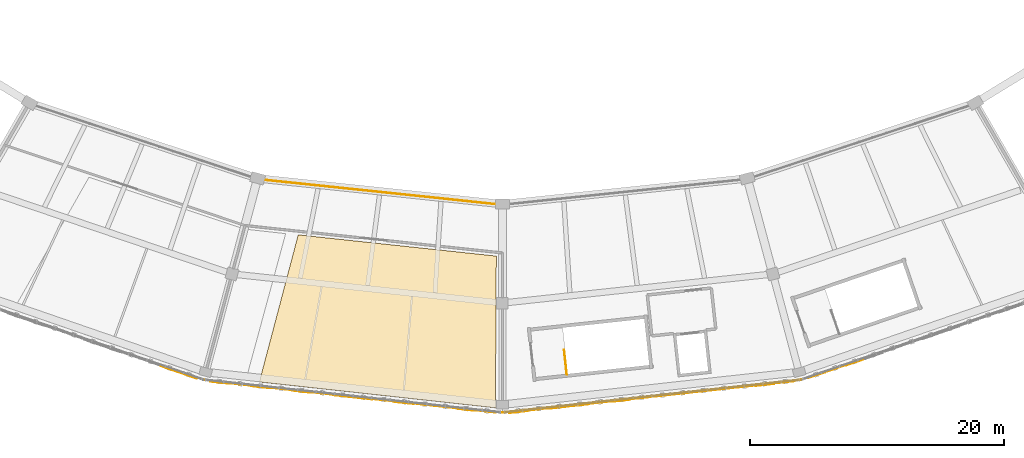
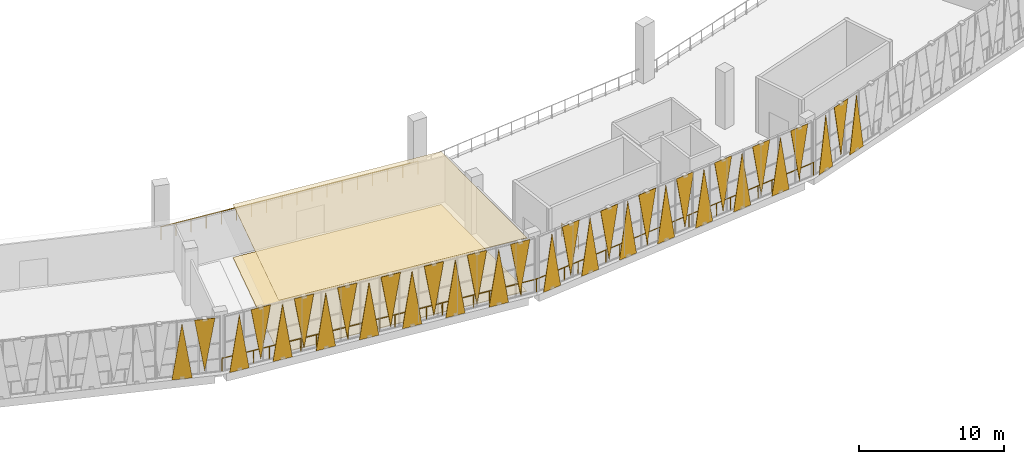
# One storey, part 56 of 64: 35 coverings, 4 railings.
"""IFC4 building model written with IfcOpenShell, lengths in metres."""

from ifc_helpers import new_model, si_unit, direction, frame, origin, origin_2d, place, context, subcontext, project, spatial, polyline, circle, outline, extrude, material, layer, layer_set, type_object, element, save


model = new_model("IFC4")

# Units and contexts
model_context = context("Model", 3, precision=1e-05, world=origin(), true_north=direction((0.0, 1.0)))
body_context = subcontext(model_context, "Body", "Model", "MODEL_VIEW")
ifc_project = project(units=[si_unit("LENGTHUNIT", "METRE"), si_unit("AREAUNIT", "SQUARE_METRE"), si_unit("VOLUMEUNIT", "CUBIC_METRE"), si_unit("PLANEANGLEUNIT", "RADIAN"), si_unit("MASSUNIT", "GRAM", prefix="KILO")], contexts=[model_context])

# Site, building, storey
site_placement = place(None, origin())
site = spatial("IfcSite", under=ifc_project, at=site_placement, CompositionType="ELEMENT")
building_placement = place(site_placement, origin())
building = spatial("IfcBuilding", under=site, at=building_placement, Name="Zevraka Park Crest Stadium", CompositionType="ELEMENT")
storey_placement = place(building_placement, frame((0.0, 0.0, 24.60009765625)))
storey = spatial("IfcBuildingStorey", under=building, at=storey_placement, Name="L05", CompositionType="ELEMENT", Elevation=24.60009765625)

# Coverings
ifc_material_1 = material(Name="Architectural golden-bronze perforated aluminium", Category="aluminium")
ifc_layer_1 = layer(ifc_material_1, 0.034912109375)
ifc_layer_set_1 = layer_set([ifc_layer_1], Name="Architectural golden-bronze perforated aluminium")
covering_type_1 = type_object("IfcCoveringType", Name="CLD01", PredefinedType="CLADDING", material=ifc_layer_set_1)
covering_1_placement = place(storey_placement, frame((85.083984375, 19.7529296875, -0.22021484375), z_axis=(0.326478757083, 0.945204539285, 9.448619e-06), x_axis=(0.945204539327, -0.326478757097, 0.0)))
element("IfcCovering", 1, at=covering_1_placement, inside=storey, type_object=covering_type_1, Name="Triangular Golden-Bronze Perforated Cladding L05-16-13", PredefinedType="CLADDING", context=body_context, shape_type="SweptSolid", body=[
    extrude(outline(polyline([(0.0, 0.0), (1.4335314869677471, 0.0), (0.716264364466002, -4.660156250208021), (0.0, 0.0)])), origin(), (0.0, 0.0, -1.0), 0.034912109375),
])
covering_2_placement = place(storey_placement, frame((87.946044921875, 18.762939453125, 4.599853515625), z_axis=(0.326876778138, 0.945066957718, 0.000131698294), x_axis=(-0.945066965914, 0.326876780972, 0.0)))
element("IfcCovering", 2, at=covering_2_placement, inside=storey, type_object=covering_type_1, Name="Triangular Golden-Bronze Perforated Cladding L05-16-14", PredefinedType="CLADDING", context=body_context, shape_type="SweptSolid", body=[
    extrude(outline(polyline([(0.0, 0.0), (1.4347734924150557, 6.776263578034403e-21), (0.7175862559615392, -4.379882850483309), (0.0, 0.0)])), origin(), (0.0, 0.0, -1.0), 0.034912109375),
])
covering_3_placement = place(storey_placement, frame((88.97412109375, 18.531982421875, -0.22021484375), z_axis=(0.108952601983, 0.994046945726, 1.4622709e-05), x_axis=(0.994046945832, -0.108952601995, 0.0)))
element("IfcCovering", 3, at=covering_3_placement, inside=storey, type_object=covering_type_1, Name="Triangular Golden-Bronze Perforated Cladding L05-17-1", PredefinedType="CLADDING", context=body_context, shape_type="SweptSolid", body=[
    extrude(outline(polyline([(0.0, 0.0), (1.4677218023927092, 4.235164736271502e-22), (0.7343595755597975, -4.660156250498226), (0.0, 0.0)])), origin(), (0.0, 0.0, -1.0), 0.034912109375),
])
covering_4_placement = place(storey_placement, frame((92.052001953125, 18.194091796875, 4.599853515625), z_axis=(-0.108880588211, -0.994054835883, 2.7704984e-05), x_axis=(-0.994054836265, 0.108880588253, 0.0)))
element("IfcCovering", 4, at=covering_4_placement, inside=storey, type_object=covering_type_1, Name="Triangular Golden-Bronze Perforated Cladding L05-17-2", PredefinedType="CLADDING", context=body_context, shape_type="SweptSolid", body=[
    extrude(outline(polyline([(0.0, 0.0), (1.4686925552172725, 0.0), (0.7343329865212029, 4.379882814180925), (0.0, 0.0)])), origin(), (0.0, 0.0, -1.0), 0.034912109375),
])
covering_5_placement = place(storey_placement, frame((92.2109375, 18.176025390625, -0.22021484375), z_axis=(0.108952601918, 0.994046945135, 3.7454352e-05), x_axis=(0.994046945832, -0.108952601995, 0.0)))
element("IfcCovering", 5, at=covering_5_placement, inside=storey, type_object=covering_type_1, Name="Triangular Golden-Bronze Perforated Cladding L05-17-3", PredefinedType="CLADDING", context=body_context, shape_type="SweptSolid", body=[
    extrude(outline(polyline([(0.0, 0.0), (1.4677218023927092, 0.0), (0.7333888265892581, -4.660156253268701), (0.0, 0.0)])), origin(), (0.0, 0.0, -1.0), 0.034912109375),
])
covering_6_placement = place(storey_placement, frame((95.2890625, 17.837890625, 4.599853515625), z_axis=(-0.109044843045, -0.994036831413, 0.0), x_axis=(-0.994036831413, 0.109044843045, 0.0)))
element("IfcCovering", 6, at=covering_6_placement, inside=storey, type_object=covering_type_1, Name="Triangular Golden-Bronze Perforated Cladding L05-17-4", PredefinedType="CLADDING", context=body_context, shape_type="SweptSolid", body=[
    extrude(outline(polyline([(0.0, 0.0), (1.4687191574429541, 0.0), (0.7343595787214771, 4.3798828125), (0.0, 0.0)])), origin(), (0.0, 0.0, -1.0), 0.034912109375),
])
covering_7_placement = place(storey_placement, frame((95.447998046875, 17.820068359375, -0.22021484375), z_axis=(0.109116962802, 0.994028917234, 1.1433043e-05), x_axis=(0.994028917299, -0.109116962809, 0.0)))
element("IfcCovering", 7, at=covering_7_placement, inside=storey, type_object=covering_type_1, Name="Triangular Golden-Bronze Perforated Cladding L05-17-5", PredefinedType="CLADDING", context=body_context, shape_type="SweptSolid", body=[
    extrude(outline(polyline([(0.0, 0.0), (1.4677484222128137, 2.117582368135751e-22), (0.7333888454241317, -4.660156250304575), (0.0, 0.0)])), origin(), (0.0, 0.0, -1.0), 0.034912109375),
])
covering_8_placement = place(storey_placement, frame((98.52587890625, 17.48193359375, 4.599853515625), z_axis=(-0.109044843045, -0.994036831413, 0.0), x_axis=(-0.994036831413, 0.109044843045, 0.0)))
element("IfcCovering", 8, at=covering_8_placement, inside=storey, type_object=covering_type_1, Name="Triangular Golden-Bronze Perforated Cladding L05-17-6", PredefinedType="CLADDING", context=body_context, shape_type="SweptSolid", body=[
    extrude(outline(polyline([(0.0, 0.0), (1.4687191574429541, 0.0), (0.7343595787214771, 4.3798828125), (0.0, 0.0)])), origin(), (0.0, 0.0, -1.0), 0.034912109375),
])
covering_9_placement = place(storey_placement, frame((98.68505859375, 17.464111328125, -0.22021484375), z_axis=(0.109116962802, 0.994028917234, 1.1433043e-05), x_axis=(0.994028917299, -0.109116962809, 0.0)))
element("IfcCovering", 9, at=covering_9_placement, inside=storey, type_object=covering_type_1, Name="Triangular Golden-Bronze Perforated Cladding L05-17-7", PredefinedType="CLADDING", context=body_context, shape_type="SweptSolid", body=[
    extrude(outline(polyline([(0.0, 0.0), (1.4677484222128137, 2.117582368135751e-22), (0.7333888454241317, -4.660156250304575), (0.0, 0.0)])), origin(), (0.0, 0.0, -1.0), 0.034912109375),
])
covering_10_placement = place(storey_placement, frame((101.761962890625, 17.1259765625, 4.599853515625), z_axis=(0.108952601908, 0.994046945043, 3.9851097e-05), x_axis=(-0.994046945832, 0.108952601995, 0.0)))
element("IfcCovering", 10, at=covering_10_placement, inside=storey, type_object=covering_type_1, Name="Triangular Golden-Bronze Perforated Cladding L05-17-8", PredefinedType="CLADDING", context=body_context, shape_type="SweptSolid", body=[
    extrude(outline(polyline([(0.0, 0.0), (1.4677218023927092, -8.470329472543003e-22), (0.7333888265892581, -4.379882815977869), (0.0, 0.0)])), origin(), (0.0, 0.0, -1.0), 0.034912109375),
])
covering_11_placement = place(storey_placement, frame((101.9208984375, 17.10791015625, -0.22021484375), z_axis=(-0.108862599571, -0.994056806162, 2.3187191e-05), x_axis=(0.994056806429, -0.108862599601, 0.0)))
element("IfcCovering", 11, at=covering_11_placement, inside=storey, type_object=covering_type_1, Name="Triangular Golden-Bronze Perforated Cladding L05-17-9", PredefinedType="CLADDING", context=body_context, shape_type="SweptSolid", body=[
    extrude(outline(polyline([(0.0, 0.0), (1.4689352446268007, 0.0), (0.7343329885968441, 4.660156251252758), (0.0, 0.0)])), origin(), (0.0, 0.0, -1.0), 0.034912109375),
])
covering_12_placement = place(storey_placement, frame((104.9990234375, 16.77001953125, 4.599853515625), z_axis=(0.108952601908, 0.994046945043, 3.9851097e-05), x_axis=(-0.994046945832, 0.108952601995, 0.0)))
element("IfcCovering", 12, at=covering_12_placement, inside=storey, type_object=covering_type_1, Name="Triangular Golden-Bronze Perforated Cladding L05-17-10", PredefinedType="CLADDING", context=body_context, shape_type="SweptSolid", body=[
    extrude(outline(polyline([(0.0, 0.0), (1.4677218023927092, -8.470329472543003e-22), (0.7333888265892581, -4.379882815977869), (0.0, 0.0)])), origin(), (0.0, 0.0, -1.0), 0.034912109375),
])
covering_13_placement = place(storey_placement, frame((105.157958984375, 16.751953125, -0.22021484375), z_axis=(-0.108880588216, -0.994054835928, 2.6038737e-05), x_axis=(0.994054836265, -0.108880588253, 0.0)))
element("IfcCovering", 13, at=covering_13_placement, inside=storey, type_object=covering_type_1, Name="Triangular Golden-Bronze Perforated Cladding L05-17-11", PredefinedType="CLADDING", context=body_context, shape_type="SweptSolid", body=[
    extrude(outline(polyline([(0.0, 0.0), (1.4686925552172725, 0.0), (0.7343329865212029, 4.66015625157983), (0.0, 0.0)])), origin(), (0.0, 0.0, -1.0), 0.034912109375),
])
covering_14_placement = place(storey_placement, frame((108.236083984375, 16.4140625, 4.599853515625), z_axis=(-0.108952601981, -0.994046945712, 1.5558432e-05), x_axis=(-0.994046945832, 0.108952601995, 0.0)))
element("IfcCovering", 14, at=covering_14_placement, inside=storey, type_object=covering_type_1, Name="Triangular Golden-Bronze Perforated Cladding L05-17-12", PredefinedType="CLADDING", context=body_context, shape_type="SweptSolid", body=[
    extrude(outline(polyline([(0.0, 0.0), (1.4677218023927092, -4.235164736271502e-22), (0.7333622268329117, 4.379882813030108), (0.0, 0.0)])), origin(), (0.0, 0.0, -1.0), 0.034912109375),
])
covering_15_placement = place(storey_placement, frame((108.39501953125, 16.39599609375, -0.22021484375), z_axis=(0.108880588216, 0.994054835928, 2.6038737e-05), x_axis=(0.994054836265, -0.108880588253, 0.0)))
element("IfcCovering", 15, at=covering_15_placement, inside=storey, type_object=covering_type_1, Name="Triangular Golden-Bronze Perforated Cladding L05-17-13", PredefinedType="CLADDING", context=body_context, shape_type="SweptSolid", body=[
    extrude(outline(polyline([(0.0, 0.0), (1.4686925552172725, 0.0), (0.7343595686960694, -4.66015625157983), (0.0, 0.0)])), origin(), (0.0, 0.0, -1.0), 0.034912109375),
])
covering_16_placement = place(storey_placement, frame((111.472900390625, 16.05810546875, 4.599853515625), z_axis=(-0.108952601908, -0.994046945043, 3.9851097e-05), x_axis=(-0.994046945832, 0.108952601995, 0.0)))
element("IfcCovering", 16, at=covering_16_placement, inside=storey, type_object=covering_type_1, Name="Triangular Golden-Bronze Perforated Cladding L05-17-14", PredefinedType="CLADDING", context=body_context, shape_type="SweptSolid", body=[
    extrude(outline(polyline([(0.0, 0.0), (1.4677218023927092, -8.470329472543003e-22), (0.7343329758034511, 4.379882815977869), (0.0, 0.0)])), origin(), (0.0, 0.0, -1.0), 0.034912109375),
])
covering_17_placement = place(storey_placement, frame((112.527099609375, 16.05810546875, -0.22021484375), z_axis=(-0.108952601918, 0.994046945135, 3.7454352e-05), x_axis=(0.994046945832, 0.108952601995, 0.0)))
element("IfcCovering", 17, at=covering_17_placement, inside=storey, type_object=covering_type_1, Name="Triangular Golden-Bronze Perforated Cladding L05-18-1", PredefinedType="CLADDING", context=body_context, shape_type="SweptSolid", body=[
    extrude(outline(polyline([(0.0, 0.0), (1.4677218023927092, 0.0), (0.7343329758034511, -4.660156253268701), (0.0, 0.0)])), origin(), (0.0, 0.0, -1.0), 0.034912109375),
])
covering_18_placement = place(storey_placement, frame((115.60498046875, 16.39599609375, 4.599853515625), z_axis=(0.108880588211, -0.994054835883, 2.7704984e-05), x_axis=(-0.994054836265, -0.108880588253, 0.0)))
element("IfcCovering", 18, at=covering_18_placement, inside=storey, type_object=covering_type_1, Name="Triangular Golden-Bronze Perforated Cladding L05-18-2", PredefinedType="CLADDING", context=body_context, shape_type="SweptSolid", body=[
    extrude(outline(polyline([(0.0, 0.0), (1.4686925552172725, 0.0), (0.7343595686960694, 4.379882814180925), (0.0, 0.0)])), origin(), (0.0, 0.0, -1.0), 0.034912109375),
])
covering_19_placement = place(storey_placement, frame((115.763916015625, 16.4140625, -0.22021484375), z_axis=(-0.108952601983, 0.994046945726, 1.4622709e-05), x_axis=(0.994046945832, 0.108952601995, 0.0)))
element("IfcCovering", 19, at=covering_19_placement, inside=storey, type_object=covering_type_1, Name="Triangular Golden-Bronze Perforated Cladding L05-18-3", PredefinedType="CLADDING", context=body_context, shape_type="SweptSolid", body=[
    extrude(outline(polyline([(0.0, 0.0), (1.4677218023927092, -4.235164736271502e-22), (0.7333622268329117, -4.660156250498226), (0.0, 0.0)])), origin(), (0.0, 0.0, -1.0), 0.034912109375),
])
covering_20_placement = place(storey_placement, frame((118.842041015625, 16.751953125, 4.599853515625), z_axis=(-0.108880588211, 0.994054835883, 2.7704984e-05), x_axis=(-0.994054836265, -0.108880588253, 0.0)))
element("IfcCovering", 20, at=covering_20_placement, inside=storey, type_object=covering_type_1, Name="Triangular Golden-Bronze Perforated Cladding L05-18-4", PredefinedType="CLADDING", context=body_context, shape_type="SweptSolid", body=[
    extrude(outline(polyline([(0.0, 0.0), (1.4686925552172725, 0.0), (0.7343329865212029, -4.379882814180925), (0.0, 0.0)])), origin(), (0.0, 0.0, -1.0), 0.034912109375),
])
covering_21_placement = place(storey_placement, frame((119.0009765625, 16.77001953125, -0.22021484375), z_axis=(0.108952601918, -0.994046945135, 3.7454352e-05), x_axis=(0.994046945832, 0.108952601995, 0.0)))
element("IfcCovering", 21, at=covering_21_placement, inside=storey, type_object=covering_type_1, Name="Triangular Golden-Bronze Perforated Cladding L05-18-5", PredefinedType="CLADDING", context=body_context, shape_type="SweptSolid", body=[
    extrude(outline(polyline([(0.0, 0.0), (1.4677218023927092, 0.0), (0.7333888265892581, 4.660156253268701), (0.0, 0.0)])), origin(), (0.0, 0.0, -1.0), 0.034912109375),
])
covering_22_placement = place(storey_placement, frame((122.0791015625, 17.10791015625, 4.599853515625), z_axis=(-0.108862599567, 0.994056806127, 2.4670965e-05), x_axis=(-0.994056806429, -0.108862599601, 0.0)))
element("IfcCovering", 22, at=covering_22_placement, inside=storey, type_object=covering_type_1, Name="Triangular Golden-Bronze Perforated Cladding L05-18-6", PredefinedType="CLADDING", context=body_context, shape_type="SweptSolid", body=[
    extrude(outline(polyline([(0.0, 0.0), (1.4689352446268007, -8.470329472543003e-22), (0.7343329885968441, -4.379882813832923), (0.0, 0.0)])), origin(), (0.0, 0.0, -1.0), 0.034912109375),
])
covering_23_placement = place(storey_placement, frame((122.238037109375, 17.1259765625, -0.22021484375), z_axis=(0.108952601918, -0.994046945135, 3.7454352e-05), x_axis=(0.994046945832, 0.108952601995, 0.0)))
element("IfcCovering", 23, at=covering_23_placement, inside=storey, type_object=covering_type_1, Name="Triangular Golden-Bronze Perforated Cladding L05-18-7", PredefinedType="CLADDING", context=body_context, shape_type="SweptSolid", body=[
    extrude(outline(polyline([(0.0, 0.0), (1.4677218023927092, 0.0), (0.7333888265892581, 4.660156253268701), (0.0, 0.0)])), origin(), (0.0, 0.0, -1.0), 0.034912109375),
])
covering_24_placement = place(storey_placement, frame((125.31494140625, 17.464111328125, 4.599853515625), z_axis=(0.109116962801, -0.994028917226, 1.2164656e-05), x_axis=(-0.994028917299, -0.109116962809, 0.0)))
element("IfcCovering", 24, at=covering_24_placement, inside=storey, type_object=covering_type_1, Name="Triangular Golden-Bronze Perforated Cladding L05-18-8", PredefinedType="CLADDING", context=body_context, shape_type="SweptSolid", body=[
    extrude(outline(polyline([(0.0, 0.0), (1.4677484222128137, 0.0), (0.7333888454241317, 4.379882812824066), (0.0, 0.0)])), origin(), (0.0, 0.0, -1.0), 0.034912109375),
])
covering_25_placement = place(storey_placement, frame((125.47412109375, 17.48193359375, -0.22021484375), z_axis=(0.109044843045, -0.994036831413, 0.0), x_axis=(0.994036831413, 0.109044843045, 0.0)))
element("IfcCovering", 25, at=covering_25_placement, inside=storey, type_object=covering_type_1, Name="Triangular Golden-Bronze Perforated Cladding L05-18-9", PredefinedType="CLADDING", context=body_context, shape_type="SweptSolid", body=[
    extrude(outline(polyline([(0.0, 0.0), (1.4687191574429541, 0.0), (0.7343595787214771, 4.660156249999999), (0.0, 0.0)])), origin(), (0.0, 0.0, -1.0), 0.034912109375),
])
covering_26_placement = place(storey_placement, frame((128.552001953125, 17.820068359375, 4.599853515625), z_axis=(0.109116962801, -0.994028917226, 1.2164656e-05), x_axis=(-0.994028917299, -0.109116962809, 0.0)))
element("IfcCovering", 26, at=covering_26_placement, inside=storey, type_object=covering_type_1, Name="Triangular Golden-Bronze Perforated Cladding L05-18-10", PredefinedType="CLADDING", context=body_context, shape_type="SweptSolid", body=[
    extrude(outline(polyline([(0.0, 0.0), (1.4677484222128137, 0.0), (0.7333888454241317, 4.379882812824066), (0.0, 0.0)])), origin(), (0.0, 0.0, -1.0), 0.034912109375),
])
covering_27_placement = place(storey_placement, frame((128.7109375, 17.837890625, -0.22021484375), z_axis=(0.109044843045, -0.994036831413, 0.0), x_axis=(0.994036831413, 0.109044843045, 0.0)))
element("IfcCovering", 27, at=covering_27_placement, inside=storey, type_object=covering_type_1, Name="Triangular Golden-Bronze Perforated Cladding L05-18-11", PredefinedType="CLADDING", context=body_context, shape_type="SweptSolid", body=[
    extrude(outline(polyline([(0.0, 0.0), (1.4687191574429541, 0.0), (0.7343595787214771, 4.660156249999999), (0.0, 0.0)])), origin(), (0.0, 0.0, -1.0), 0.034912109375),
])
covering_28_placement = place(storey_placement, frame((131.7890625, 18.176025390625, 4.599853515625), z_axis=(0.108952601908, -0.994046945043, 3.9851097e-05), x_axis=(-0.994046945832, -0.108952601995, 0.0)))
element("IfcCovering", 28, at=covering_28_placement, inside=storey, type_object=covering_type_1, Name="Triangular Golden-Bronze Perforated Cladding L05-18-12", PredefinedType="CLADDING", context=body_context, shape_type="SweptSolid", body=[
    extrude(outline(polyline([(0.0, 0.0), (1.4677218023927092, 8.470329472543003e-22), (0.7333888265892581, 4.379882815977869), (0.0, 0.0)])), origin(), (0.0, 0.0, -1.0), 0.034912109375),
])
covering_29_placement = place(storey_placement, frame((131.947998046875, 18.194091796875, -0.22021484375), z_axis=(-0.108880588216, 0.994054835928, 2.6038737e-05), x_axis=(0.994054836265, 0.108880588253, 0.0)))
element("IfcCovering", 29, at=covering_29_placement, inside=storey, type_object=covering_type_1, Name="Triangular Golden-Bronze Perforated Cladding L05-18-13", PredefinedType="CLADDING", context=body_context, shape_type="SweptSolid", body=[
    extrude(outline(polyline([(0.0, 0.0), (1.4686925552172725, 0.0), (0.7343329865212029, -4.66015625157983), (0.0, 0.0)])), origin(), (0.0, 0.0, -1.0), 0.034912109375),
])
covering_30_placement = place(storey_placement, frame((135.02587890625, 18.531982421875, 4.599853515625), z_axis=(0.108952601981, -0.994046945712, 1.5558432e-05), x_axis=(-0.994046945832, -0.108952601995, 0.0)))
element("IfcCovering", 30, at=covering_30_placement, inside=storey, type_object=covering_type_1, Name="Triangular Golden-Bronze Perforated Cladding L05-18-14", PredefinedType="CLADDING", context=body_context, shape_type="SweptSolid", body=[
    extrude(outline(polyline([(0.0, 0.0), (1.4677218023927092, 4.235164736271502e-22), (0.7343595755597975, 4.379882813030108), (0.0, 0.0)])), origin(), (0.0, 0.0, -1.0), 0.034912109375),
])
covering_31_placement = place(storey_placement, frame((136.053955078125, 18.762939453125, -0.22021484375), z_axis=(0.326876778468, -0.945066958674, 0.00012377763), x_axis=(0.945066965914, 0.326876780972, 0.0)))
element("IfcCovering", 31, at=covering_31_placement, inside=storey, type_object=covering_type_1, Name="Triangular Golden-Bronze Perforated Cladding L05-19-1", PredefinedType="CLADDING", context=body_context, shape_type="SweptSolid", body=[
    extrude(outline(polyline([(0.0, 0.0), (1.4347734924150557, -6.776263578034403e-21), (0.7175862559615392, 4.660156285698899), (0.0, 0.0)])), origin(), (0.0, 0.0, -1.0), 0.034912109375),
])
covering_32_placement = place(storey_placement, frame((138.916015625, 19.7529296875, 4.599853515625), z_axis=(0.326478757081, -0.945204539279, 1.0053247e-05), x_axis=(-0.945204539327, -0.326478757097, 0.0)))
element("IfcCovering", 32, at=covering_32_placement, inside=storey, type_object=covering_type_1, Name="Triangular Golden-Bronze Perforated Cladding L05-19-2", PredefinedType="CLADDING", context=body_context, shape_type="SweptSolid", body=[
    extrude(outline(polyline([(0.0, 0.0), (1.4335314869677471, 0.0), (0.716264364466002, 4.379882812721332), (0.0, 0.0)])), origin(), (0.0, 0.0, -1.0), 0.034912109375),
])
covering_33_placement = place(storey_placement, frame((139.068115234375, 19.805908203125, -0.22021484375), z_axis=(-0.327087171185, 0.944994169742, 3.998936e-05), x_axis=(0.944994170498, 0.327087171446, 0.0)))
element("IfcCovering", 33, at=covering_33_placement, inside=storey, type_object=covering_type_1, Name="Triangular Golden-Bronze Perforated Cladding L05-19-3", PredefinedType="CLADDING", context=body_context, shape_type="SweptSolid", body=[
    extrude(outline(polyline([(0.0, 0.0), (1.433850610989357, 0.0), (0.7163440996601653, -4.660156253726142), (0.0, 0.0)])), origin(), (0.0, 0.0, -1.0), 0.034912109375),
])
ifc_material_2 = material(Name="Perforated acoustic mineral-fibre suspended ceiling", Category="other")
ifc_layer_2 = layer(ifc_material_2, 0.02490234375)
ifc_layer_set_2 = layer_set([ifc_layer_2], Name="Perforated acoustic mineral-fibre suspended ceiling")
covering_type_2 = type_object("IfcCoveringType", Name="CLG01", PredefinedType="CEILING", material=ifc_layer_set_2)
covering_34_placement = place(storey_placement, frame((0.0, 0.0, 4.47998046875)))
element("IfcCovering", 34, at=covering_34_placement, inside=storey, type_object=covering_type_2, Name="Acoustic Ceiling Broadcast Equipment Rack Room L05-028", PredefinedType="CEILING", context=body_context, shape_type="SweptSolid", body=[
    extrude(outline(polyline([(92.85302734375, 18.488037109375), (95.9150390625, 30.073974609375), (111.51806640625, 28.402099609375), (111.448974609375, 16.449951171875), (92.85302734375, 18.488037109375)])), origin(), (0.0, 0.0, 1.0), 0.02490234375),
])
ifc_material_3 = material(Name="Honed terrazzo and slip-resistant sports flooring", Category="other")
ifc_layer_3 = layer(ifc_material_3, 0.0400390625)
ifc_layer_set_3 = layer_set([ifc_layer_3], Name="Honed terrazzo and slip-resistant sports flooring")
covering_type_3 = type_object("IfcCoveringType", Name="FLR01", PredefinedType="FLOORING", material=ifc_layer_set_3)
covering_35_placement = place(storey_placement, origin())
element("IfcCovering", 35, at=covering_35_placement, inside=storey, type_object=covering_type_3, Name="Terrazzo Floor Finish Broadcast Equipment Rack Room L05-028", PredefinedType="FLOORING", context=body_context, shape_type="SweptSolid", body=[
    extrude(outline(polyline([(92.85302734375, 18.488037109375), (95.9150390625, 30.073974609375), (111.51806640625, 28.402099609375), (111.448974609375, 16.449951171875), (92.85302734375, 18.488037109375)])), origin(), (0.0, 0.0, 1.0), 0.039794921875),
])

# Railings
ifc_material_4 = material(Name="Galvanised and bronze-finished steel balustrade", Category="steel")
railing_type_1 = type_object("IfcRailingType", Name="GR01", PredefinedType="GUARDRAIL", material=ifc_material_4)
railing_1_placement = place(storey_placement, frame((92.70703125, 34.4580078125, 0.0)))
element("IfcRailing", 36, at=railing_1_placement, inside=storey, type_object=railing_type_1, Name="Deck Edge Protection Guardrail GR01 L05-10", PredefinedType="GUARDRAIL", context=body_context, shape_type="SweptSolid", body=[
    extrude(circle(Radius=0.02392578125, at=origin_2d()), frame((0.0, 0.0, 1.076171875), z_axis=(0.994518067741, -0.1045648743, 0.0), x_axis=(0.1045648743, 0.994518067741, 0.0)), (0.0, 0.0, 1.0), 19.3955078125),
    extrude(circle(Radius=0.02099609375, at=origin_2d()), origin(), (0.0, 0.0, 1.0), 1.052001953125),
    extrude(circle(Radius=0.02099609375, at=origin_2d()), frame((1.134765625, -0.119384765625, 0.0)), (0.0, 0.0, 1.0), 1.052001953125),
    extrude(circle(Radius=0.02099609375, at=origin_2d()), frame((2.269287109375, -0.238525390625, 0.0)), (0.0, 0.0, 1.0), 1.052001953125),
    extrude(circle(Radius=0.02099609375, at=origin_2d()), frame((3.404052734375, -0.35791015625, 0.0)), (0.0, 0.0, 1.0), 1.052001953125),
    extrude(circle(Radius=0.02099609375, at=origin_2d()), frame((4.53857421875, -0.477294921875, 0.0)), (0.0, 0.0, 1.0), 1.052001953125),
    extrude(circle(Radius=0.02099609375, at=origin_2d()), frame((5.67333984375, -0.596435546875, 0.0)), (0.0, 0.0, 1.0), 1.052001953125),
    extrude(circle(Radius=0.02099609375, at=origin_2d()), frame((6.807861328125, -0.7158203125, 0.0)), (0.0, 0.0, 1.0), 1.052001953125),
    extrude(circle(Radius=0.02099609375, at=origin_2d()), frame((7.942626953125, -0.835205078125, 0.0)), (0.0, 0.0, 1.0), 1.052001953125),
    extrude(circle(Radius=0.02099609375, at=origin_2d()), frame((9.0771484375, -0.954345703125, 0.0)), (0.0, 0.0, 1.0), 1.052001953125),
    extrude(circle(Radius=0.02099609375, at=origin_2d()), frame((10.2119140625, -1.07373046875, 0.0)), (0.0, 0.0, 1.0), 1.052001953125),
    extrude(circle(Radius=0.02099609375, at=origin_2d()), frame((11.346435546875, -1.19287109375, 0.0)), (0.0, 0.0, 1.0), 1.052001953125),
    extrude(circle(Radius=0.02099609375, at=origin_2d()), frame((12.481201171875, -1.312255859375, 0.0)), (0.0, 0.0, 1.0), 1.052001953125),
    extrude(circle(Radius=0.02099609375, at=origin_2d()), frame((13.61572265625, -1.431640625, 0.0)), (0.0, 0.0, 1.0), 1.052001953125),
    extrude(circle(Radius=0.02099609375, at=origin_2d()), frame((14.75048828125, -1.55078125, 0.0)), (0.0, 0.0, 1.0), 1.052001953125),
    extrude(circle(Radius=0.02099609375, at=origin_2d()), frame((15.885009765625, -1.670166015625, 0.0)), (0.0, 0.0, 1.0), 1.052001953125),
    extrude(circle(Radius=0.02099609375, at=origin_2d()), frame((17.019775390625, -1.78955078125, 0.0)), (0.0, 0.0, 1.0), 1.052001953125),
    extrude(circle(Radius=0.02099609375, at=origin_2d()), frame((18.154296875, -1.90869140625, 0.0)), (0.0, 0.0, 1.0), 1.052001953125),
    extrude(circle(Radius=0.02099609375, at=origin_2d()), frame((19.2890625, -2.028076171875, 0.0)), (0.0, 0.0, 1.0), 1.052001953125),
])
railing_2_placement = place(storey_placement, frame((135.5380859375, 18.658935546875, 0.0)))
element("IfcRailing", 37, at=railing_2_placement, inside=storey, type_object=railing_type_1, Name="Deck Edge Protection Guardrail GR01 L05-14", PredefinedType="GUARDRAIL", context=body_context, shape_type="SweptSolid", body=[
    extrude(circle(Radius=0.02392578125, at=origin_2d()), frame((0.0, 0.0, 1.076171875), z_axis=(-0.994005834956, -0.109327032671, 0.0), x_axis=(0.109327032671, -0.994005834956, 0.0)), (0.0, 0.0, 1.0), 23.679931640625),
    extrude(circle(Radius=0.02099609375, at=origin_2d()), origin(), (0.0, 0.0, 1.0), 1.052001953125),
    extrude(circle(Radius=0.02099609375, at=origin_2d()), frame((-1.177001953125, -0.12939453125, 0.0)), (0.0, 0.0, 1.0), 1.052001953125),
    extrude(circle(Radius=0.02099609375, at=origin_2d()), frame((-2.353759765625, -0.2587890625, 0.0)), (0.0, 0.0, 1.0), 1.052001953125),
    extrude(circle(Radius=0.02099609375, at=origin_2d()), frame((-3.53076171875, -0.388427734375, 0.0)), (0.0, 0.0, 1.0), 1.052001953125),
    extrude(circle(Radius=0.02099609375, at=origin_2d()), frame((-4.70751953125, -0.517822265625, 0.0)), (0.0, 0.0, 1.0), 1.052001953125),
    extrude(circle(Radius=0.02099609375, at=origin_2d()), frame((-5.884521484375, -0.647216796875, 0.0)), (0.0, 0.0, 1.0), 1.052001953125),
    extrude(circle(Radius=0.02099609375, at=origin_2d()), frame((-7.0615234375, -0.776611328125, 0.0)), (0.0, 0.0, 1.0), 1.052001953125),
    extrude(circle(Radius=0.02099609375, at=origin_2d()), frame((-8.23828125, -0.906005859375, 0.0)), (0.0, 0.0, 1.0), 1.052001953125),
    extrude(circle(Radius=0.02099609375, at=origin_2d()), frame((-9.415283203125, -1.03564453125, 0.0)), (0.0, 0.0, 1.0), 1.052001953125),
    extrude(circle(Radius=0.02099609375, at=origin_2d()), frame((-10.592041015625, -1.1650390625, 0.0)), (0.0, 0.0, 1.0), 1.052001953125),
    extrude(circle(Radius=0.02099609375, at=origin_2d()), frame((-11.76904296875, -1.29443359375, 0.0)), (0.0, 0.0, 1.0), 1.052001953125),
    extrude(circle(Radius=0.02099609375, at=origin_2d()), frame((-12.946044921875, -1.423828125, 0.0)), (0.0, 0.0, 1.0), 1.052001953125),
    extrude(circle(Radius=0.02099609375, at=origin_2d()), frame((-14.122802734375, -1.55322265625, 0.0)), (0.0, 0.0, 1.0), 1.052001953125),
    extrude(circle(Radius=0.02099609375, at=origin_2d()), frame((-15.2998046875, -1.682861328125, 0.0)), (0.0, 0.0, 1.0), 1.052001953125),
    extrude(circle(Radius=0.02099609375, at=origin_2d()), frame((-16.4765625, -1.812255859375, 0.0)), (0.0, 0.0, 1.0), 1.052001953125),
    extrude(circle(Radius=0.02099609375, at=origin_2d()), frame((-17.653564453125, -1.941650390625, 0.0)), (0.0, 0.0, 1.0), 1.052001953125),
    extrude(circle(Radius=0.02099609375, at=origin_2d()), frame((-18.83056640625, -2.071044921875, 0.0)), (0.0, 0.0, 1.0), 1.052001953125),
    extrude(circle(Radius=0.02099609375, at=origin_2d()), frame((-20.00732421875, -2.200439453125, 0.0)), (0.0, 0.0, 1.0), 1.052001953125),
    extrude(circle(Radius=0.02099609375, at=origin_2d()), frame((-21.184326171875, -2.330078125, 0.0)), (0.0, 0.0, 1.0), 1.052001953125),
    extrude(circle(Radius=0.02099609375, at=origin_2d()), frame((-22.361083984375, -2.45947265625, 0.0)), (0.0, 0.0, 1.0), 1.052001953125),
    extrude(circle(Radius=0.02099609375, at=origin_2d()), frame((-23.5380859375, -2.5888671875, 0.0)), (0.0, 0.0, 1.0), 1.052001953125),
])
railing_3_placement = place(storey_placement, frame((112.0, 16.070068359375, 0.0)))
element("IfcRailing", 38, at=railing_3_placement, inside=storey, type_object=railing_type_1, Name="Deck Edge Protection Guardrail GR01 L05-15", PredefinedType="GUARDRAIL", context=body_context, shape_type="SweptSolid", body=[
    extrude(circle(Radius=0.02392578125, at=origin_2d()), frame((0.0, 0.0, 1.076171875), z_axis=(-0.994005834956, 0.109327032671, 0.0), x_axis=(-0.109327032671, -0.994005834956, 0.0)), (0.0, 0.0, 1.0), 23.679931640625),
    extrude(circle(Radius=0.02099609375, at=origin_2d()), origin(), (0.0, 0.0, 1.0), 1.052001953125),
    extrude(circle(Radius=0.02099609375, at=origin_2d()), frame((-1.177001953125, 0.12939453125, 0.0)), (0.0, 0.0, 1.0), 1.052001953125),
    extrude(circle(Radius=0.02099609375, at=origin_2d()), frame((-2.353759765625, 0.2587890625, 0.0)), (0.0, 0.0, 1.0), 1.052001953125),
    extrude(circle(Radius=0.02099609375, at=origin_2d()), frame((-3.53076171875, 0.388427734375, 0.0)), (0.0, 0.0, 1.0), 1.052001953125),
    extrude(circle(Radius=0.02099609375, at=origin_2d()), frame((-4.70751953125, 0.517822265625, 0.0)), (0.0, 0.0, 1.0), 1.052001953125),
    extrude(circle(Radius=0.02099609375, at=origin_2d()), frame((-5.884521484375, 0.647216796875, 0.0)), (0.0, 0.0, 1.0), 1.052001953125),
    extrude(circle(Radius=0.02099609375, at=origin_2d()), frame((-7.0615234375, 0.776611328125, 0.0)), (0.0, 0.0, 1.0), 1.052001953125),
    extrude(circle(Radius=0.02099609375, at=origin_2d()), frame((-8.23828125, 0.906005859375, 0.0)), (0.0, 0.0, 1.0), 1.052001953125),
    extrude(circle(Radius=0.02099609375, at=origin_2d()), frame((-9.415283203125, 1.03564453125, 0.0)), (0.0, 0.0, 1.0), 1.052001953125),
    extrude(circle(Radius=0.02099609375, at=origin_2d()), frame((-10.592041015625, 1.1650390625, 0.0)), (0.0, 0.0, 1.0), 1.052001953125),
    extrude(circle(Radius=0.02099609375, at=origin_2d()), frame((-11.76904296875, 1.29443359375, 0.0)), (0.0, 0.0, 1.0), 1.052001953125),
    extrude(circle(Radius=0.02099609375, at=origin_2d()), frame((-12.946044921875, 1.423828125, 0.0)), (0.0, 0.0, 1.0), 1.052001953125),
    extrude(circle(Radius=0.02099609375, at=origin_2d()), frame((-14.122802734375, 1.55322265625, 0.0)), (0.0, 0.0, 1.0), 1.052001953125),
    extrude(circle(Radius=0.02099609375, at=origin_2d()), frame((-15.2998046875, 1.682861328125, 0.0)), (0.0, 0.0, 1.0), 1.052001953125),
    extrude(circle(Radius=0.02099609375, at=origin_2d()), frame((-16.4765625, 1.812255859375, 0.0)), (0.0, 0.0, 1.0), 1.052001953125),
    extrude(circle(Radius=0.02099609375, at=origin_2d()), frame((-17.653564453125, 1.941650390625, 0.0)), (0.0, 0.0, 1.0), 1.052001953125),
    extrude(circle(Radius=0.02099609375, at=origin_2d()), frame((-18.83056640625, 2.071044921875, 0.0)), (0.0, 0.0, 1.0), 1.052001953125),
    extrude(circle(Radius=0.02099609375, at=origin_2d()), frame((-20.00732421875, 2.200439453125, 0.0)), (0.0, 0.0, 1.0), 1.052001953125),
    extrude(circle(Radius=0.02099609375, at=origin_2d()), frame((-21.184326171875, 2.330078125, 0.0)), (0.0, 0.0, 1.0), 1.052001953125),
    extrude(circle(Radius=0.02099609375, at=origin_2d()), frame((-22.361083984375, 2.45947265625, 0.0)), (0.0, 0.0, 1.0), 1.052001953125),
    extrude(circle(Radius=0.02099609375, at=origin_2d()), frame((-23.5380859375, 2.5888671875, 0.0)), (0.0, 0.0, 1.0), 1.052001953125),
])
ifc_material_5 = material(Name="Powder-coated tubular steel stairwell guard", Category="steel")
railing_type_2 = type_object("IfcRailingType", Name="GR03", PredefinedType="GUARDRAIL", material=ifc_material_5)
railing_4_placement = place(storey_placement, frame((117.072509765625, 19.06103515625, 0.0)))
element("IfcRailing", 39, at=railing_4_placement, inside=storey, type_object=railing_type_2, Name="L05 ST19 top well guard 1", PredefinedType="GUARDRAIL", context=body_context, shape_type="SweptSolid", body=[
    extrude(circle(Radius=0.02392578125, at=origin_2d()), frame((0.0, 0.0, 1.076171875), z_axis=(-0.108120734842, 0.994137770481, 0.0), x_axis=(-0.994137770481, -0.108120734842, 0.0)), (0.0, 0.0, 1.0), 1.9599609375),
    extrude(circle(Radius=0.02099609375, at=origin_2d()), origin(), (0.0, 0.0, 1.0), 1.052001953125),
    extrude(circle(Radius=0.02099609375, at=origin_2d()), frame((-0.10595703125, 0.97412109375, 0.0)), (0.0, 0.0, 1.0), 1.052001953125),
    extrude(circle(Radius=0.02099609375, at=origin_2d()), frame((-0.2119140625, 1.948486328125, 0.0)), (0.0, 0.0, 1.0), 1.052001953125),
])

save(model, "model.ifc")
